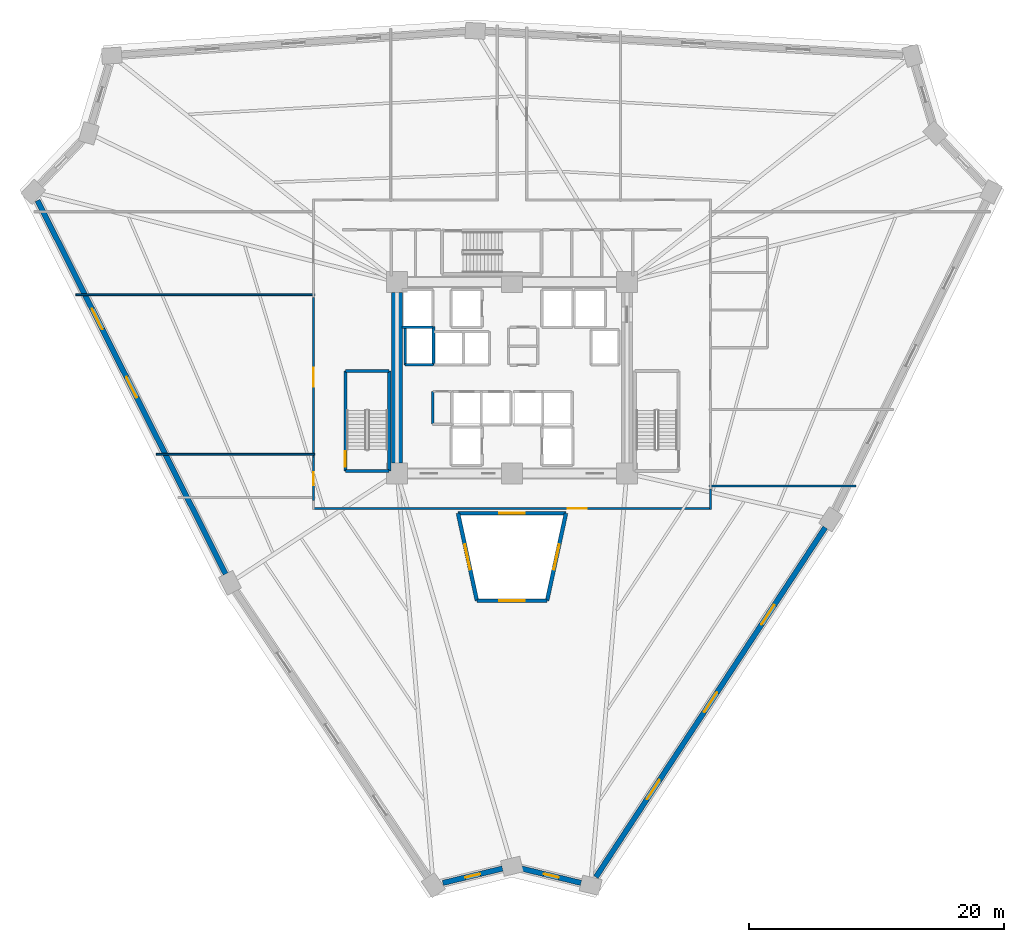
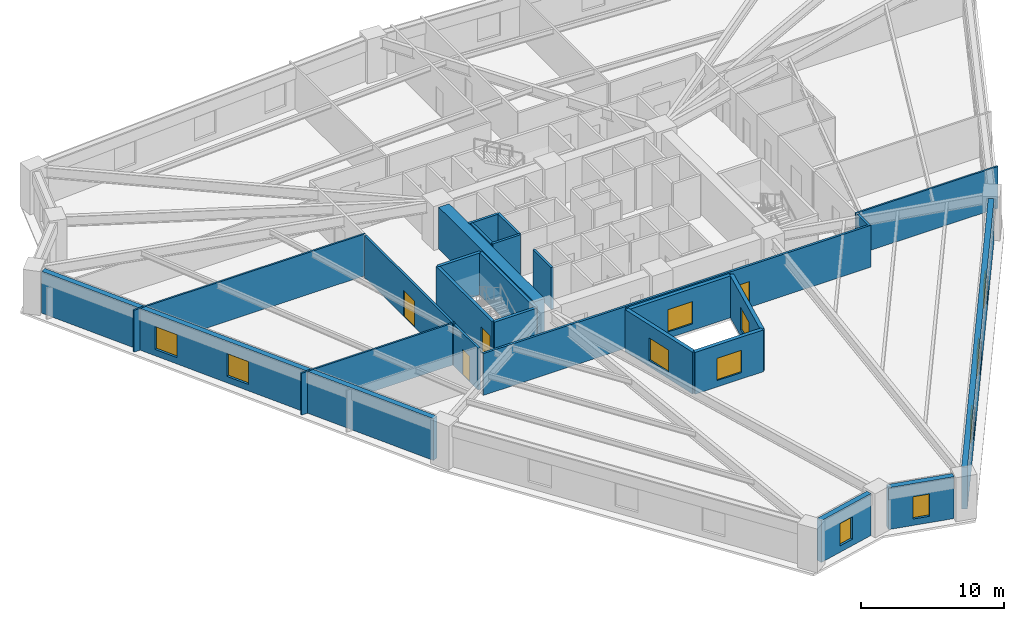
# One storey, part 3 of 8: 25 walls, 11 windows, 4 doors, 15 openings.
"""IFC4 building model written with IfcOpenShell, lengths in metres."""

import ifcopenshell
import ifcopenshell.guid

model = None  # the IFC model being written
_history = None  # IfcOwnerHistory: only IFC2X3 demands one
_inside = {}  # id of a spatial element -> (the spatial element, [elements in it])
_under = {}  # id of a project, library or spatial element -> (it, [spatial elements below it])
_declared = {}  # id of a project -> (the project, [libraries it declares])
_typed = {}  # id of a type object -> (the type object, [elements of that type])
_made_of = {}  # id of a material, layer set ... -> (it, [elements and type objects made of it])


def new_model(schema):
    """Start an empty IFC model of exactly this schema.

    Asked for "IFC4X3", IfcOpenShell would pick the latest addendum, in which some entities
    have other attributes; the version numbers below select the first issue.
    IFC2X3 requires an IfcOwnerHistory on every rooted entity: one is made here for all.
    """
    global model, _history
    if schema == "IFC4X3":
        model = ifcopenshell.file(schema_version=(4, 3, 0, 0))
    else:
        model = ifcopenshell.file(schema=schema)
    _inside.clear()
    _under.clear()
    _declared.clear()
    _typed.clear()
    _made_of.clear()
    _history = None
    if model.schema == "IFC2X3":
        org = make("IfcOrganization", Name="unknown")
        user = make(
            "IfcPersonAndOrganization",
            ThePerson=make("IfcPerson", FamilyName="unknown"),
            TheOrganization=org,
        )
        app = make(
            "IfcApplication",
            ApplicationDeveloper=org,
            Version="unknown",
            ApplicationFullName="unknown",
            ApplicationIdentifier="unknown",
        )
        _history = make(
            "IfcOwnerHistory",
            OwningUser=user,
            OwningApplication=app,
            ChangeAction="ADDED",
            CreationDate=0,
        )
    return model


def make(cls, **values):
    """One entity of the class cls with the attributes given. An attribute that is None is left unset."""
    return model.create_entity(
        cls, **{name: value for name, value in values.items() if value is not None}
    )


def rooted(cls, **values):
    """An entity with a GlobalId (a new one), such as an element, a storey or a relation."""
    return make(cls, GlobalId=ifcopenshell.guid.new(), OwnerHistory=_history, **values)


def si_unit(unit_type, name, prefix=None):
    """IfcSIUnit, for example si_unit("LENGTHUNIT", "METRE", prefix="MILLI")."""
    return make("IfcSIUnit", UnitType=unit_type, Prefix=prefix, Name=name)


def assignment(units):
    """IfcUnitAssignment: the units of a project."""
    return None if units is None else make("IfcUnitAssignment", Units=units)


def point(xyz):
    """IfcCartesianPoint."""
    return None if xyz is None else make("IfcCartesianPoint", Coordinates=xyz)


def direction(xyz):
    """IfcDirection."""
    return None if xyz is None else make("IfcDirection", DirectionRatios=xyz)


def frame(location, z_axis=None, x_axis=None):
    """IfcAxis2Placement3D, a coordinate frame: its origin and axes. An axis left out is left unset."""
    return make(
        "IfcAxis2Placement3D",
        Location=point(location),
        Axis=direction(z_axis),
        RefDirection=direction(x_axis),
    )


def frame_2d(location, x_axis=None):
    """IfcAxis2Placement2D, a coordinate frame in the plane: its origin and x axis."""
    return make(
        "IfcAxis2Placement2D", Location=point(location), RefDirection=direction(x_axis)
    )


def origin():
    """The frame at (0, 0, 0) with its axes left unset."""
    return frame((0.0, 0.0, 0.0))


def place(relative_to, where):
    """IfcLocalPlacement: puts the frame where relative to a parent placement (None: the world)."""
    return make(
        "IfcLocalPlacement", PlacementRelTo=relative_to, RelativePlacement=where
    )


def context(
    kind, dimensions, precision=None, world=None, true_north=None, identifier=None
):
    """IfcGeometricRepresentationContext, for example the 3D "Model" context."""
    return make(
        "IfcGeometricRepresentationContext",
        ContextIdentifier=identifier,
        ContextType=kind,
        CoordinateSpaceDimension=dimensions,
        Precision=precision,
        WorldCoordinateSystem=world,
        TrueNorth=true_north,
    )


def subcontext(parent, identifier, kind, view, scale=None):
    """IfcGeometricRepresentationSubContext, for example "Body" below "Model"."""
    return make(
        "IfcGeometricRepresentationSubContext",
        ContextIdentifier=identifier,
        ContextType=kind,
        ParentContext=parent,
        TargetScale=scale,
        TargetView=view,
    )


def project(units=None, contexts=None):
    """IfcProject with its units and contexts."""
    return rooted(
        "IfcProject",
        Name="project",
        RepresentationContexts=contexts,
        UnitsInContext=assignment(units),
    )


def spatial(cls, under=None, at=None, **own):
    """A site, building, storey or space (cls), placed at a placement, below another one or the project."""
    s = rooted(cls, ObjectPlacement=at, **own)
    if under is not None:
        _under.setdefault(under.id(), (under, []))[1].append(s)
    return s


def profile(cls, at=None, kind="AREA", **sizes):
    """A parametric profile (cls). Its sizes go by their IFC names, for example OverallWidth=200.0."""
    return make(cls, ProfileType=kind, Position=at, **sizes)


def rectangle(**sizes):
    """IfcRectangleProfileDef."""
    return profile("IfcRectangleProfileDef", **sizes)


def extrude(swept, where, along, depth):
    """IfcExtrudedAreaSolid: the profile swept, set in the frame where, extruded along a direction by depth."""
    return make(
        "IfcExtrudedAreaSolid",
        SweptArea=swept,
        Position=where,
        ExtrudedDirection=direction(along),
        Depth=depth,
    )


def shape(context_of_items, identifier, shape_type, items):
    """IfcShapeRepresentation: the items that make up one representation, for example the "Body"."""
    return make(
        "IfcShapeRepresentation",
        ContextOfItems=context_of_items,
        RepresentationIdentifier=identifier,
        RepresentationType=shape_type,
        Items=items,
    )


def source(mapping_origin, context_of_items, identifier, shape_type, items):
    """IfcRepresentationMap: a shape defined once, which mapped items show again and again."""
    return make(
        "IfcRepresentationMap",
        MappingOrigin=mapping_origin,
        MappedRepresentation=shape(context_of_items, identifier, shape_type, items),
    )


def transform(
    local_origin,
    x_axis=None,
    y_axis=None,
    z_axis=None,
    scale=None,
    scale2=None,
    scale3=None,
    uniform=True,
):
    """IfcCartesianTransformationOperator3D, or its non-uniform kind. x_axis, y_axis, z_axis: its Axis1, 2, 3."""
    if uniform:
        return make(
            "IfcCartesianTransformationOperator3D",
            Axis1=direction(x_axis),
            Axis2=direction(y_axis),
            LocalOrigin=point(local_origin),
            Scale=scale,
            Axis3=direction(z_axis),
        )
    return make(
        "IfcCartesianTransformationOperator3DnonUniform",
        Axis1=direction(x_axis),
        Axis2=direction(y_axis),
        LocalOrigin=point(local_origin),
        Scale=scale,
        Axis3=direction(z_axis),
        Scale2=scale2,
        Scale3=scale3,
    )


def mapped(mapping_source, mapping_target):
    """IfcMappedItem: shows the shape of a source again, moved by a transform."""
    return make(
        "IfcMappedItem", MappingSource=mapping_source, MappingTarget=mapping_target
    )


def material(Name=None, Category=None):
    """IfcMaterial."""
    return make("IfcMaterial", Name=Name, Category=Category)


def layer(
    of_material, thickness, ventilated=None, Name=None, Category=None, Priority=None
):
    """IfcMaterialLayer: one layer of a wall or slab, of a material (None: an air gap)."""
    return make(
        "IfcMaterialLayer",
        Material=of_material,
        LayerThickness=thickness,
        IsVentilated=ventilated,
        Name=Name,
        Category=Category,
        Priority=Priority,
    )


def layer_set(layers, Name=None):
    """IfcMaterialLayerSet."""
    return make("IfcMaterialLayerSet", MaterialLayers=layers, LayerSetName=Name)


def made_of(thing, what):
    """Note that an element or type object is made of a material, layer set ...; save() writes the relation."""
    if what is not None:
        _made_of.setdefault(what.id(), (what, []))[1].append(thing)
    return thing


def type_object(cls, material=None, **own):
    """A type object (cls), such as IfcWallType, which elements share."""
    return made_of(rooted(cls, **own), material)


def element(
    cls,
    number,
    at=None,
    inside=None,
    cuts=None,
    type_object=None,
    material=None,
    context=None,
    identifier="Body",
    shape_type=None,
    held_by="IfcProductDefinitionShape",
    body=None,
    shapes=None,
    **own,
):
    """One element of the class cls, such as IfcWall. Its Tag is "e" and its number.

    at: its placement. inside: the storey or other place that contains it. cuts: it is an
    opening in that element (IfcRelVoidsElement). A single representation is given by context,
    identifier, shape_type and body (its items); several are given by shapes. held_by: the class
    of the entity that holds the representations. save() writes the other relations.
    """
    e = rooted(cls, Tag="e%d" % number, ObjectPlacement=at, **own)
    if body is not None:
        shapes = [shape(context, identifier, shape_type, body)]
    if shapes is not None:
        e.Representation = make(held_by, Representations=shapes)
    if inside is not None:
        _inside.setdefault(inside.id(), (inside, []))[1].append(e)
    if cuts is not None:
        rooted(
            "IfcRelVoidsElement", RelatingBuildingElement=cuts, RelatedOpeningElement=e
        )
    if type_object is not None:
        _typed.setdefault(type_object.id(), (type_object, []))[1].append(e)
    return made_of(e, material)


def fill(opening, filler):
    """IfcRelFillsElement: the door or window that sits in an opening."""
    return rooted(
        "IfcRelFillsElement",
        RelatingOpeningElement=opening,
        RelatedBuildingElement=filler,
    )


def aggregate(whole, parts):
    """IfcRelAggregates: a whole, such as a stair, and the parts it consists of."""
    return rooted("IfcRelAggregates", RelatingObject=whole, RelatedObjects=parts)


def save(model, path):
    """Write the relations noted so far, then the file.

    IfcRelAggregates (storeys below a building ...), IfcRelContainedInSpatialStructure (elements
    in a storey), IfcRelDefinesByType, IfcRelAssociatesMaterial and IfcRelDeclares: one each for
    every whole, place, type object, material and project.
    """
    for whole, parts in _under.values():
        aggregate(whole, parts)
    for where, things in _inside.values():
        rooted(
            "IfcRelContainedInSpatialStructure",
            RelatedElements=things,
            RelatingStructure=where,
        )
    for kind, things in _typed.values():
        rooted("IfcRelDefinesByType", RelatedObjects=things, RelatingType=kind)
    for what, things in _made_of.values():
        rooted("IfcRelAssociatesMaterial", RelatedObjects=things, RelatingMaterial=what)
    for by, libraries in _declared.values():
        rooted("IfcRelDeclares", RelatingContext=by, RelatedDefinitions=libraries)
    model.write(path)


model = new_model("IFC4")

# Units and contexts
model_context = context("Model", 3, precision=1e-05, world=origin(), true_north=direction((0.0, 1.0)))
body_context = subcontext(model_context, "Body", "Model", "MODEL_VIEW")
ifc_project = project(units=[si_unit("LENGTHUNIT", "METRE"), si_unit("AREAUNIT", "SQUARE_METRE"), si_unit("VOLUMEUNIT", "CUBIC_METRE"), si_unit("PLANEANGLEUNIT", "RADIAN"), si_unit("MASSUNIT", "GRAM", prefix="KILO")], contexts=[model_context])

# Site, building, storey
site_placement = place(None, origin())
site = spatial("IfcSite", under=ifc_project, at=site_placement, CompositionType="ELEMENT")
building_placement = place(site_placement, origin())
building = spatial("IfcBuilding", under=site, at=building_placement, Name="Liaohun Quay Tower", CompositionType="ELEMENT")
storey_placement = place(building_placement, frame((0.0, 0.0, 85.5)))
storey = spatial("IfcBuildingStorey", under=building, at=storey_placement, Name="L22", CompositionType="ELEMENT", Elevation=85.5)

# Wall, opening, window
ifc_material_1 = material(Name="Concrete C50", Category="concrete")
ifc_layer_1 = layer(ifc_material_1, 0.300048828125, Name="Concrete C50", Category="concrete")
ifc_layer_set_1 = layer_set([ifc_layer_1], Name="Concrete C50")
wall_type_1 = type_object("IfcWallType", Name="WAL-ATR-300", PredefinedType="SOLIDWALL", material=ifc_layer_set_1)
wall_1_placement = place(storey_placement, frame((57.2509765625, 36.52197265625, 0.0), z_axis=(0.0, 0.0, 1.0), x_axis=(-0.211370579765, 0.977405994462, 0.0)))
wall_1 = element("IfcWall", 1, at=wall_1_placement, inside=storey, type_object=wall_type_1, Name="L22 Atrium Fire Compartment Wall 1", PredefinedType="SOLIDWALL", context=body_context, shape_type="SweptSolid", body=[
    extrude(rectangle(XDim=7.00634765625, YDim=0.300048828125, at=frame_2d((3.503173828125, 0.0))), origin(), (0.0, 0.0, 1.0), 3.570068359375),
])
shared_shape_1 = source(origin(), body_context, "Body", "SweptSolid", [
    extrude(rectangle(XDim=2.0, YDim=1.89990234375, at=frame_2d((1.0, 0.949951171875))), frame((0.0, 0.159912109375, 0.0), z_axis=(0.0, -1.0, 0.0), x_axis=(1.0, 0.0, 0.0)), (0.0, 0.0, 1.0), 0.320068359375),
])
opening_1_placement = place(wall_1_placement, frame((2.5029296875, 0.0, 0.550048828125)))
opening_1 = element("IfcOpeningElement", 2, at=opening_1_placement, cuts=wall_1, Name="Opening W07", PredefinedType="OPENING", context=body_context, shape_type="MappedRepresentation", body=[
    mapped(shared_shape_1, transform((0.0, 0.0, 0.0), x_axis=(1.0, 0.0, 0.0), y_axis=(0.0, 1.0, 0.0), z_axis=(0.0, 0.0, 1.0), scale=1.0)),
])
ifc_material_2 = material(Name="Class A 180-min fire-resistant insulated glazing", Category="glass")
window_type_1 = type_object("IfcWindowType", Name="WIN-ATR-FIR", PartitioningType="DOUBLE_PANEL_VERTICAL", PredefinedType="WINDOW", material=ifc_material_2)
shared_shape_2 = source(origin(), body_context, "Body", "SweptSolid", [
    extrude(rectangle(XDim=2.0, YDim=1.89990234375, at=frame_2d((1.0, 0.949951171875))), frame((0.0, 0.030029296875, 0.0), z_axis=(0.0, -1.0, 0.0), x_axis=(1.0, 0.0, 0.0)), (0.0, 0.0, 1.0), 0.06005859375),
])
window_1_placement = place(opening_1_placement, origin())
window_1 = element("IfcWindow", 3, at=window_1_placement, inside=storey, type_object=window_type_1, Name="L22 Atrium Fire-Resistant Glazing W07-1", OverallHeight=1.89990234375, OverallWidth=2.0, PartitioningType="DOUBLE_PANEL_VERTICAL", PredefinedType="WINDOW", context=body_context, shape_type="MappedRepresentation", body=[
    mapped(shared_shape_2, transform((0.0, 0.0, 0.0), x_axis=(1.0, 0.0, 0.0), y_axis=(0.0, 1.0, 0.0), z_axis=(0.0, 0.0, 1.0), scale=1.0)),
])
fill(opening_1, window_1)

wall_2_placement = place(storey_placement, frame((55.77001953125, 43.3701171875, 0.0), z_axis=(0.0, 0.0, 1.0), x_axis=(1.0, 0.0, 0.0)))
wall_2 = element("IfcWall", 4, at=wall_2_placement, inside=storey, type_object=wall_type_1, Name="L22 Atrium Fire Compartment Wall 2", PredefinedType="SOLIDWALL", context=body_context, shape_type="SweptSolid", body=[
    extrude(rectangle(XDim=8.4599609375, YDim=0.300048828125, at=frame_2d((4.22998046875, 0.0))), origin(), (0.0, 0.0, 1.0), 3.570068359375),
])
opening_2_placement = place(wall_2_placement, frame((3.22998046875, 0.0, 0.550048828125)))
opening_2 = element("IfcOpeningElement", 5, at=opening_2_placement, cuts=wall_2, Name="Opening W07", PredefinedType="OPENING", context=body_context, shape_type="MappedRepresentation", body=[
    mapped(shared_shape_1, transform((0.0, 0.0, 0.0), x_axis=(1.0, 0.0, 0.0), y_axis=(0.0, 1.0, 0.0), z_axis=(0.0, 0.0, 1.0), scale=1.0)),
])
window_2_placement = place(opening_2_placement, origin())
window_2 = element("IfcWindow", 6, at=window_2_placement, inside=storey, type_object=window_type_1, Name="L22 Atrium Fire-Resistant Glazing W07-2", OverallHeight=1.89990234375, OverallWidth=2.0, PartitioningType="DOUBLE_PANEL_VERTICAL", PredefinedType="WINDOW", context=body_context, shape_type="MappedRepresentation", body=[
    mapped(shared_shape_2, transform((0.0, 0.0, 0.0), x_axis=(1.0, 0.0, 0.0), y_axis=(0.0, 1.0, 0.0), z_axis=(0.0, 0.0, 1.0), scale=1.0)),
])
fill(opening_2, window_2)

wall_3_placement = place(storey_placement, frame((64.22998046875, 43.3701171875, 0.0), z_axis=(0.0, 0.0, 1.0), x_axis=(-0.211370579765, -0.977405994462, 0.0)))
wall_3 = element("IfcWall", 7, at=wall_3_placement, inside=storey, type_object=wall_type_1, Name="L22 Atrium Fire Compartment Wall 3", PredefinedType="SOLIDWALL", context=body_context, shape_type="SweptSolid", body=[
    extrude(rectangle(XDim=7.00634765625, YDim=0.300048828125, at=frame_2d((3.503173828125, 0.0))), origin(), (0.0, 0.0, 1.0), 3.570068359375),
])
opening_3_placement = place(wall_3_placement, frame((2.5029296875, 0.0, 0.550048828125)))
opening_3 = element("IfcOpeningElement", 8, at=opening_3_placement, cuts=wall_3, Name="Opening W07", PredefinedType="OPENING", context=body_context, shape_type="MappedRepresentation", body=[
    mapped(shared_shape_1, transform((0.0, 0.0, 0.0), x_axis=(1.0, 0.0, 0.0), y_axis=(0.0, 1.0, 0.0), z_axis=(0.0, 0.0, 1.0), scale=1.0)),
])
window_3_placement = place(opening_3_placement, origin())
window_3 = element("IfcWindow", 9, at=window_3_placement, inside=storey, type_object=window_type_1, Name="L22 Atrium Fire-Resistant Glazing W07-3", OverallHeight=1.89990234375, OverallWidth=2.0, PartitioningType="DOUBLE_PANEL_VERTICAL", PredefinedType="WINDOW", context=body_context, shape_type="MappedRepresentation", body=[
    mapped(shared_shape_2, transform((0.0, 0.0, 0.0), x_axis=(1.0, 0.0, 0.0), y_axis=(0.0, 1.0, 0.0), z_axis=(0.0, 0.0, 1.0), scale=1.0)),
])
fill(opening_3, window_3)

wall_4_placement = place(storey_placement, frame((62.7490234375, 36.52197265625, 0.0), z_axis=(0.0, 0.0, 1.0), x_axis=(-1.0, 0.0, 0.0)))
wall_4 = element("IfcWall", 10, at=wall_4_placement, inside=storey, type_object=wall_type_1, Name="L22 Atrium Fire Compartment Wall 4", PredefinedType="SOLIDWALL", context=body_context, shape_type="SweptSolid", body=[
    extrude(rectangle(XDim=5.498046875, YDim=0.300048828125, at=frame_2d((2.7490234375, 0.0))), origin(), (0.0, 0.0, 1.0), 3.570068359375),
])
opening_4_placement = place(wall_4_placement, frame((1.7490234375, 0.0, 0.550048828125)))
opening_4 = element("IfcOpeningElement", 11, at=opening_4_placement, cuts=wall_4, Name="Opening W07", PredefinedType="OPENING", context=body_context, shape_type="MappedRepresentation", body=[
    mapped(shared_shape_1, transform((0.0, 0.0, 0.0), x_axis=(1.0, 0.0, 0.0), y_axis=(0.0, 1.0, 0.0), z_axis=(0.0, 0.0, 1.0), scale=1.0)),
])
window_4_placement = place(opening_4_placement, origin())
window_4 = element("IfcWindow", 12, at=window_4_placement, inside=storey, type_object=window_type_1, Name="L22 Atrium Fire-Resistant Glazing W07-4", OverallHeight=1.89990234375, OverallWidth=2.0, PartitioningType="DOUBLE_PANEL_VERTICAL", PredefinedType="WINDOW", context=body_context, shape_type="MappedRepresentation", body=[
    mapped(shared_shape_2, transform((0.0, 0.0, 0.0), x_axis=(1.0, 0.0, 0.0), y_axis=(0.0, 1.0, 0.0), z_axis=(0.0, 0.0, 1.0), scale=1.0)),
])
fill(opening_4, window_4)

# Wall
ifc_material_3 = material(Name="Concrete C60", Category="concrete")
ifc_layer_2 = layer(ifc_material_3, 0.85009765625, Name="Concrete C60", Category="concrete")
ifc_layer_set_2 = layer_set([ifc_layer_2], Name="Concrete C60")
wall_type_2 = type_object("IfcWallType", Name="WAL-COR-Z1", PredefinedType="SHEAR", material=ifc_layer_set_2)
wall_5_placement = place(storey_placement, frame((51.0, 47.324951171875, 0.0), z_axis=(0.0, 0.0, 1.0), x_axis=(0.0, 1.0, 0.0)))
element("IfcWall", 13, at=wall_5_placement, inside=storey, type_object=wall_type_2, Name="L22 Central Core Shear Wall W", PredefinedType="SHEAR", context=body_context, shape_type="SweptSolid", body=[
    extrude(rectangle(XDim=13.35009765625, YDim=0.85009765625, at=frame_2d((6.675048828125, 0.0))), origin(), (0.0, 0.0, 1.0), 3.570068359375),
])

# Wall, opening, window
ifc_material_4 = material(Name="Precast concrete C50 insulated sandwich", Category="concrete")
ifc_layer_3 = layer(ifc_material_4, 0.419921875, Name="Precast concrete C50 insulated sandwich", Category="concrete")
ifc_layer_set_3 = layer_set([ifc_layer_3], Name="Precast concrete C50 insulated sandwich")
wall_type_3 = type_object("IfcWallType", Name="WAL-EXT-Z12", PredefinedType="SOLIDWALL", material=ifc_layer_set_3)
wall_6_placement = place(storey_placement, frame((60.743896484375, 15.534912109375, 0.0), z_axis=(0.0, 0.0, 1.0), x_axis=(0.972107800752, -0.234534483002, 0.0)))
wall_6 = element("IfcWall", 14, at=wall_6_placement, inside=storey, type_object=wall_type_3, Name="L22 Brutalist Precast Pier Wall 01", PredefinedType="SOLIDWALL", context=body_context, shape_type="SweptSolid", body=[
    extrude(rectangle(XDim=4.80078125, YDim=0.419921875, at=frame_2d((2.400390625, 0.0))), origin(), (0.0, 0.0, 1.0), 3.570068359375),
])
shared_shape_3 = source(origin(), body_context, "Body", "SweptSolid", [
    extrude(rectangle(XDim=1.199951171875, YDim=1.89990234375, at=frame_2d((0.60009765625, 0.949951171875))), frame((0.0, 0.219970703125, 0.0), z_axis=(0.0, -1.0, 0.0), x_axis=(1.0, 0.0, 0.0)), (0.0, 0.0, 1.0), 0.43994140625),
])
opening_5_placement = place(wall_6_placement, frame((1.800048828125, 0.0, 0.550048828125)))
opening_5 = element("IfcOpeningElement", 15, at=opening_5_placement, cuts=wall_6, Name="Opening W05", PredefinedType="OPENING", context=body_context, shape_type="MappedRepresentation", body=[
    mapped(shared_shape_3, transform((0.0, 0.0, 0.0), x_axis=(1.0, 0.0, 0.0), y_axis=(0.0, 1.0, 0.0), z_axis=(0.0, 0.0, 1.0), scale=1.0)),
])
ifc_material_5 = material(Name="Triple Low-E corner notch glazing", Category="glass")
window_type_2 = type_object("IfcWindowType", Name="WIN-NOTCH", PartitioningType="SINGLE_PANEL", PredefinedType="WINDOW", material=ifc_material_5)
shared_shape_4 = source(origin(), body_context, "Body", "SweptSolid", [
    extrude(rectangle(XDim=1.199951171875, YDim=1.89990234375, at=frame_2d((0.60009765625, 0.949951171875))), frame((0.0, 0.030029296875, 0.0), z_axis=(0.0, -1.0, 0.0), x_axis=(1.0, 0.0, 0.0)), (0.0, 0.0, 1.0), 0.06005859375),
])
window_5_placement = place(opening_5_placement, origin())
window_5 = element("IfcWindow", 16, at=window_5_placement, inside=storey, type_object=window_type_2, Name="L22 Corner Notch Window W05-01", OverallHeight=1.89990234375, OverallWidth=1.199951171875, PartitioningType="SINGLE_PANEL", PredefinedType="WINDOW", context=body_context, shape_type="MappedRepresentation", body=[
    mapped(shared_shape_4, transform((0.0, 0.0, 0.0), x_axis=(1.0, 0.0, 0.0), y_axis=(0.0, 1.0, 0.0), z_axis=(0.0, 0.0, 1.0), scale=1.0)),
])
fill(opening_5, window_5)

# Wall, openings, windows
wall_7_placement = place(storey_placement, frame((66.574951171875, 14.868896484375, 0.0), z_axis=(0.0, 0.0, 1.0), x_axis=(0.548487984854, 0.836158436225, 0.0)))
wall_7 = element("IfcWall", 17, at=wall_7_placement, inside=storey, type_object=wall_type_3, Name="L22 Brutalist Precast Pier Wall 02", PredefinedType="SOLIDWALL", context=body_context, shape_type="SweptSolid", body=[
    extrude(rectangle(XDim=32.766845703125, YDim=0.419921875, at=frame_2d((16.38330078125, 0.0))), origin(), (0.0, 0.0, 1.0), 3.570068359375),
])
shared_shape_5 = source(origin(), body_context, "Body", "SweptSolid", [
    extrude(rectangle(XDim=1.800048828125, YDim=1.949951171875, at=frame_2d((0.89990234375, 0.97509765625))), frame((0.0, 0.219970703125, 0.0), z_axis=(0.0, -1.0, 0.0), x_axis=(1.0, 0.0, 0.0)), (0.0, 0.0, 1.0), 0.43994140625),
])
opening_6_placement = place(wall_7_placement, frame((7.2919921875, 0.0, 0.550048828125)))
opening_6 = element("IfcOpeningElement", 18, at=opening_6_placement, cuts=wall_7, Name="Opening W01", PredefinedType="OPENING", context=body_context, shape_type="MappedRepresentation", body=[
    mapped(shared_shape_5, transform((0.0, 0.0, 0.0), x_axis=(1.0, 0.0, 0.0), y_axis=(0.0, 1.0, 0.0), z_axis=(0.0, 0.0, 1.0), scale=1.0)),
])
opening_7_placement = place(wall_7_placement, frame((15.48291015625, 0.0, 0.550048828125)))
opening_7 = element("IfcOpeningElement", 19, at=opening_7_placement, cuts=wall_7, Name="Opening W01", PredefinedType="OPENING", context=body_context, shape_type="MappedRepresentation", body=[
    mapped(shared_shape_5, transform((0.0, 0.0, 0.0), x_axis=(1.0, 0.0, 0.0), y_axis=(0.0, 1.0, 0.0), z_axis=(0.0, 0.0, 1.0), scale=1.0)),
])
opening_8_placement = place(wall_7_placement, frame((23.675048828125, 0.0, 0.550048828125)))
opening_8 = element("IfcOpeningElement", 20, at=opening_8_placement, cuts=wall_7, Name="Opening W01", PredefinedType="OPENING", context=body_context, shape_type="MappedRepresentation", body=[
    mapped(shared_shape_5, transform((0.0, 0.0, 0.0), x_axis=(1.0, 0.0, 0.0), y_axis=(0.0, 1.0, 0.0), z_axis=(0.0, 0.0, 1.0), scale=1.0)),
])
ifc_material_6 = material(Name="Triple Low-E argon glazing in thermally broken aluminium", Category="aluminium")
window_type_3 = type_object("IfcWindowType", Name="WIN-PUN-Z1", PartitioningType="DOUBLE_PANEL_VERTICAL", PredefinedType="WINDOW", material=ifc_material_6)
shared_shape_6 = source(origin(), body_context, "Body", "SweptSolid", [
    extrude(rectangle(XDim=1.800048828125, YDim=1.949951171875, at=frame_2d((0.89990234375, 0.97509765625))), frame((0.0, 0.030029296875, 0.0), z_axis=(0.0, -1.0, 0.0), x_axis=(1.0, 0.0, 0.0)), (0.0, 0.0, 1.0), 0.06005859375),
])
window_6_placement = place(opening_6_placement, origin())
window_6 = element("IfcWindow", 21, at=window_6_placement, inside=storey, type_object=window_type_3, Name="L22 Recessed Cold-Climate Punched Window 02-1", OverallHeight=1.949951171875, OverallWidth=1.800048828125, PartitioningType="DOUBLE_PANEL_VERTICAL", PredefinedType="WINDOW", context=body_context, shape_type="MappedRepresentation", body=[
    mapped(shared_shape_6, transform((0.0, 0.0, 0.0), x_axis=(1.0, 0.0, 0.0), y_axis=(0.0, 1.0, 0.0), z_axis=(0.0, 0.0, 1.0), scale=1.0)),
])
fill(opening_6, window_6)
window_7_placement = place(opening_7_placement, origin())
window_7 = element("IfcWindow", 22, at=window_7_placement, inside=storey, type_object=window_type_3, Name="L22 Recessed Cold-Climate Punched Window 02-2", OverallHeight=1.949951171875, OverallWidth=1.800048828125, PartitioningType="DOUBLE_PANEL_VERTICAL", PredefinedType="WINDOW", context=body_context, shape_type="MappedRepresentation", body=[
    mapped(shared_shape_6, transform((0.0, 0.0, 0.0), x_axis=(1.0, 0.0, 0.0), y_axis=(0.0, 1.0, 0.0), z_axis=(0.0, 0.0, 1.0), scale=1.0)),
])
fill(opening_7, window_7)
window_8_placement = place(opening_8_placement, origin())
window_8 = element("IfcWindow", 23, at=window_8_placement, inside=storey, type_object=window_type_3, Name="L22 Recessed Cold-Climate Punched Window 02-3", OverallHeight=1.949951171875, OverallWidth=1.800048828125, PartitioningType="DOUBLE_PANEL_VERTICAL", PredefinedType="WINDOW", context=body_context, shape_type="MappedRepresentation", body=[
    mapped(shared_shape_6, transform((0.0, 0.0, 0.0), x_axis=(1.0, 0.0, 0.0), y_axis=(0.0, 1.0, 0.0), z_axis=(0.0, 0.0, 1.0), scale=1.0)),
])
fill(opening_8, window_8)

wall_8_placement = place(storey_placement, frame((22.822998046875, 67.8720703125, 0.0), z_axis=(0.0, 0.0, 1.0), x_axis=(0.449893825909, -0.893082048531, 0.0)))
wall_8 = element("IfcWall", 24, at=wall_8_placement, inside=storey, type_object=wall_type_3, Name="L22 Brutalist Precast Pier Wall 10", PredefinedType="SOLIDWALL", context=body_context, shape_type="SweptSolid", body=[
    extrude(rectangle(XDim=32.767578125, YDim=0.419921875, at=frame_2d((16.3837890625, 0.0))), origin(), (0.0, 0.0, 1.0), 3.570068359375),
])
opening_9_placement = place(wall_8_placement, frame((9.491943359375, 0.0, 0.550048828125)))
opening_9 = element("IfcOpeningElement", 25, at=opening_9_placement, cuts=wall_8, Name="Opening W01", PredefinedType="OPENING", context=body_context, shape_type="MappedRepresentation", body=[
    mapped(shared_shape_5, transform((0.0, 0.0, 0.0), x_axis=(1.0, 0.0, 0.0), y_axis=(0.0, 1.0, 0.0), z_axis=(0.0, 0.0, 1.0), scale=1.0)),
])
opening_10_placement = place(wall_8_placement, frame((15.48388671875, 0.0, 0.550048828125)))
opening_10 = element("IfcOpeningElement", 26, at=opening_10_placement, cuts=wall_8, Name="Opening W01", PredefinedType="OPENING", context=body_context, shape_type="MappedRepresentation", body=[
    mapped(shared_shape_5, transform((0.0, 0.0, 0.0), x_axis=(1.0, 0.0, 0.0), y_axis=(0.0, 1.0, 0.0), z_axis=(0.0, 0.0, 1.0), scale=1.0)),
])
window_9_placement = place(opening_9_placement, origin())
window_9 = element("IfcWindow", 27, at=window_9_placement, inside=storey, type_object=window_type_3, Name="L22 Recessed Cold-Climate Punched Window 10-1", OverallHeight=1.949951171875, OverallWidth=1.800048828125, PartitioningType="DOUBLE_PANEL_VERTICAL", PredefinedType="WINDOW", context=body_context, shape_type="MappedRepresentation", body=[
    mapped(shared_shape_6, transform((0.0, 0.0, 0.0), x_axis=(1.0, 0.0, 0.0), y_axis=(0.0, 1.0, 0.0), z_axis=(0.0, 0.0, 1.0), scale=1.0)),
])
fill(opening_9, window_9)
window_10_placement = place(opening_10_placement, origin())
window_10 = element("IfcWindow", 28, at=window_10_placement, inside=storey, type_object=window_type_3, Name="L22 Recessed Cold-Climate Punched Window 10-2", OverallHeight=1.949951171875, OverallWidth=1.800048828125, PartitioningType="DOUBLE_PANEL_VERTICAL", PredefinedType="WINDOW", context=body_context, shape_type="MappedRepresentation", body=[
    mapped(shared_shape_6, transform((0.0, 0.0, 0.0), x_axis=(1.0, 0.0, 0.0), y_axis=(0.0, 1.0, 0.0), z_axis=(0.0, 0.0, 1.0), scale=1.0)),
])
fill(opening_10, window_10)

# Wall, opening, window
wall_9_placement = place(storey_placement, frame((54.58203125, 14.406982421875, 0.0), z_axis=(0.0, 0.0, 1.0), x_axis=(0.972096184363, 0.234582625843, 0.0)))
wall_9 = element("IfcWall", 29, at=wall_9_placement, inside=storey, type_object=wall_type_3, Name="L22 Brutalist Precast Pier Wall 12", PredefinedType="SOLIDWALL", context=body_context, shape_type="SweptSolid", body=[
    extrude(rectangle(XDim=4.808349609375, YDim=0.419921875, at=frame_2d((2.404296875, 0.0))), origin(), (0.0, 0.0, 1.0), 3.570068359375),
])
opening_11_placement = place(wall_9_placement, frame((1.803955078125, 0.0, 0.550048828125)))
opening_11 = element("IfcOpeningElement", 30, at=opening_11_placement, cuts=wall_9, Name="Opening W05", PredefinedType="OPENING", context=body_context, shape_type="MappedRepresentation", body=[
    mapped(shared_shape_3, transform((0.0, 0.0, 0.0), x_axis=(1.0, 0.0, 0.0), y_axis=(0.0, 1.0, 0.0), z_axis=(0.0, 0.0, 1.0), scale=1.0)),
])
window_11_placement = place(opening_11_placement, origin())
window_11 = element("IfcWindow", 31, at=window_11_placement, inside=storey, type_object=window_type_2, Name="L22 Corner Notch Window W05-12", OverallHeight=1.89990234375, OverallWidth=1.199951171875, PartitioningType="SINGLE_PANEL", PredefinedType="WINDOW", context=body_context, shape_type="MappedRepresentation", body=[
    mapped(shared_shape_4, transform((0.0, 0.0, 0.0), x_axis=(1.0, 0.0, 0.0), y_axis=(0.0, 1.0, 0.0), z_axis=(0.0, 0.0, 1.0), scale=1.0)),
])
fill(opening_11, window_11)

# Wall, opening, door
ifc_material_7 = material(Name="Autoclaved aerated concrete blockwork", Category="masonry")
ifc_layer_4 = layer(ifc_material_7, 0.179931640625, Name="Autoclaved aerated concrete blockwork", Category="masonry")
ifc_layer_set_4 = layer_set([ifc_layer_4], Name="Autoclaved aerated concrete blockwork")
wall_type_4 = type_object("IfcWallType", Name="WAL-PRT-COR", PredefinedType="PARTITIONING", material=ifc_layer_set_4)
wall_10_placement = place(storey_placement, frame((44.43994140625, 47.784912109375, 0.0), z_axis=(0.0, 0.0, 1.0), x_axis=(0.0, 1.0, 0.0)))
wall_10 = element("IfcWall", 32, at=wall_10_placement, inside=storey, type_object=wall_type_4, Name="L22 Interior Partition Wall 020", PredefinedType="PARTITIONING", context=body_context, shape_type="SweptSolid", body=[
    extrude(rectangle(XDim=12.5, YDim=0.179931640625, at=frame_2d((6.25, 0.0))), origin(), (0.0, 0.0, 1.0), 3.570068359375),
])
shared_shape_7 = source(origin(), body_context, "Body", "SweptSolid", [
    extrude(rectangle(XDim=1.5, YDim=2.199951171875, at=frame_2d((0.75, 1.10009765625))), frame((0.0, 0.099853515625, 0.0), z_axis=(0.0, -1.0, 0.0), x_axis=(1.0, 0.0, 0.0)), (0.0, 0.0, 1.0), 0.199951171875),
])
opening_12_placement = place(wall_10_placement, frame((5.5, 0.0, 0.0)))
opening_12 = element("IfcOpeningElement", 33, at=opening_12_placement, cuts=wall_10, Name="Opening OD2", PredefinedType="OPENING", context=body_context, shape_type="MappedRepresentation", body=[
    mapped(shared_shape_7, transform((0.0, 0.0, 0.0), x_axis=(1.0, 0.0, 0.0), y_axis=(0.0, 1.0, 0.0), z_axis=(0.0, 0.0, 1.0), scale=1.0)),
])
ifc_material_8 = material(Name="Acoustic oak veneer double door")
door_type_1 = type_object("IfcDoorType", Name="DOR-OFF-1500", OperationType="DOUBLE_DOOR_SINGLE_SWING", PredefinedType="DOOR", material=ifc_material_8)
shared_shape_8 = source(origin(), body_context, "Body", "SweptSolid", [
    extrude(rectangle(XDim=1.5, YDim=2.199951171875, at=frame_2d((0.75, 1.10009765625))), frame((0.0, 0.02490234375, 0.0), z_axis=(0.0, -1.0, 0.0), x_axis=(1.0, 0.0, 0.0)), (0.0, 0.0, 1.0), 0.050048828125),
])
door_1_placement = place(opening_12_placement, origin())
door_1 = element("IfcDoor", 34, at=door_1_placement, inside=storey, type_object=door_type_1, Name="L22 Architectural Design Studio 07 Door", OperationType="DOUBLE_DOOR_SINGLE_SWING", OverallHeight=2.199951171875, OverallWidth=1.5, PredefinedType="DOOR", context=body_context, shape_type="MappedRepresentation", body=[
    mapped(shared_shape_8, transform((0.0, 0.0, 0.0), x_axis=(1.0, 0.0, 0.0), y_axis=(0.0, 1.0, 0.0), z_axis=(0.0, 0.0, 1.0), scale=1.0)),
])
fill(opening_12, door_1)

wall_11_placement = place(storey_placement, frame((44.43994140625, 44.385009765625, 0.0), z_axis=(0.0, 0.0, 1.0), x_axis=(0.0, 1.0, 0.0)))
wall_11 = element("IfcWall", 35, at=wall_11_placement, inside=storey, type_object=wall_type_4, Name="L22 Interior Partition Wall 021", PredefinedType="PARTITIONING", context=body_context, shape_type="SweptSolid", body=[
    extrude(rectangle(XDim=3.39990234375, YDim=0.179931640625, at=frame_2d((1.699951171875, 0.0))), origin(), (0.0, 0.0, 1.0), 3.570068359375),
])
shared_shape_9 = source(origin(), body_context, "Body", "SweptSolid", [
    extrude(rectangle(XDim=1.0, YDim=2.199951171875, at=frame_2d((0.5, 1.10009765625))), frame((0.0, 0.099853515625, 0.0), z_axis=(0.0, -1.0, 0.0), x_axis=(1.0, 0.0, 0.0)), (0.0, 0.0, 1.0), 0.199951171875),
])
opening_13_placement = place(wall_11_placement, frame((1.199951171875, 0.0, 0.0)))
opening_13 = element("IfcOpeningElement", 36, at=opening_13_placement, cuts=wall_11, Name="Opening OD1", PredefinedType="OPENING", context=body_context, shape_type="MappedRepresentation", body=[
    mapped(shared_shape_9, transform((0.0, 0.0, 0.0), x_axis=(1.0, 0.0, 0.0), y_axis=(0.0, 1.0, 0.0), z_axis=(0.0, 0.0, 1.0), scale=1.0)),
])
ifc_material_9 = material(Name="Solid-core oak veneer timber leaf in steel frame", Category="steel")
door_type_2 = type_object("IfcDoorType", Name="DOR-OFF-1000", OperationType="NOTDEFINED", PredefinedType="DOOR", material=ifc_material_9)
shared_shape_10 = source(origin(), body_context, "Body", "SweptSolid", [
    extrude(rectangle(XDim=1.0, YDim=2.199951171875, at=frame_2d((0.5, 1.10009765625))), frame((0.0, 0.02490234375, 0.0), z_axis=(0.0, -1.0, 0.0), x_axis=(1.0, 0.0, 0.0)), (0.0, 0.0, 1.0), 0.050048828125),
])
door_2_placement = place(opening_13_placement, origin())
door_2 = element("IfcDoor", 37, at=door_2_placement, inside=storey, type_object=door_type_2, Name="L22 Client Collaboration Lounge 08 Door", OperationType="SINGLE_SWING_LEFT", OverallHeight=2.199951171875, OverallWidth=1.0, PredefinedType="DOOR", context=body_context, shape_type="MappedRepresentation", body=[
    mapped(shared_shape_10, transform((0.0, 0.0, 0.0), x_axis=(1.0, 0.0, 0.0), y_axis=(0.0, 1.0, 0.0), z_axis=(0.0, 0.0, 1.0), scale=1.0)),
])
fill(opening_13, door_2)

wall_12_placement = place(storey_placement, frame((75.6298828125, 43.739990234375, 0.0), z_axis=(0.0, 0.0, 1.0), x_axis=(-1.0, 0.0, 0.0)))
wall_12 = element("IfcWall", 38, at=wall_12_placement, inside=storey, type_object=wall_type_4, Name="L22 Interior Partition Wall 022", PredefinedType="PARTITIONING", context=body_context, shape_type="SweptSolid", body=[
    extrude(rectangle(XDim=31.259765625, YDim=0.179931640625, at=frame_2d((15.6298828125, 0.0))), origin(), (0.0, 0.0, 1.0), 3.570068359375),
])
opening_14_placement = place(wall_12_placement, frame((9.780029296875, 0.0, 0.0)))
opening_14 = element("IfcOpeningElement", 39, at=opening_14_placement, cuts=wall_12, Name="Opening OD2", PredefinedType="OPENING", context=body_context, shape_type="MappedRepresentation", body=[
    mapped(shared_shape_7, transform((0.0, 0.0, 0.0), x_axis=(1.0, 0.0, 0.0), y_axis=(0.0, 1.0, 0.0), z_axis=(0.0, 0.0, 1.0), scale=1.0)),
])
door_3_placement = place(opening_14_placement, origin())
door_3 = element("IfcDoor", 40, at=door_3_placement, inside=storey, type_object=door_type_1, Name="L22 Records Archive Store 09 Door", OperationType="DOUBLE_DOOR_SINGLE_SWING", OverallHeight=2.199951171875, OverallWidth=1.5, PredefinedType="DOOR", context=body_context, shape_type="MappedRepresentation", body=[
    mapped(shared_shape_8, transform((0.0, 0.0, 0.0), x_axis=(1.0, 0.0, 0.0), y_axis=(0.0, 1.0, 0.0), z_axis=(0.0, 0.0, 1.0), scale=1.0)),
])
fill(opening_14, door_3)

# Walls
wall_13_placement = place(storey_placement, frame((53.7900390625, 50.35009765625, 0.0), z_axis=(0.0, 0.0, 1.0), x_axis=(0.0, 1.0, 0.0)))
element("IfcWall", 41, at=wall_13_placement, inside=storey, type_object=wall_type_4, Name="L22 Interior Partition Wall 027", PredefinedType="PARTITIONING", context=body_context, shape_type="SweptSolid", body=[
    extrude(rectangle(XDim=2.56982421875, YDim=0.179931640625, at=frame_2d((1.284912109375, 0.0))), origin(), (0.0, 0.0, 1.0), 3.570068359375),
])
wall_14_placement = place(storey_placement, frame((75.56005859375, 45.284912109375, 0.0), z_axis=(0.0, 0.0, 1.0), x_axis=(0.0, -1.0, 0.0)))
element("IfcWall", 42, at=wall_14_placement, inside=storey, type_object=wall_type_4, Name="L22 Interior Partition Wall 044", PredefinedType="PARTITIONING", context=body_context, shape_type="SweptSolid", body=[
    extrude(rectangle(XDim=1.614990234375, YDim=0.179931640625, at=frame_2d((0.8076171875, 0.0))), origin(), (0.0, 0.0, 1.0), 3.570068359375),
])
ifc_material_10 = material(Name="Gypsum board on twin steel studs", Category="steel")
ifc_layer_5 = layer(ifc_material_10, 0.139892578125, Name="Gypsum board on twin steel studs", Category="steel")
ifc_layer_set_5 = layer_set([ifc_layer_5], Name="Gypsum board on twin steel studs")
wall_type_5 = type_object("IfcWallType", Name="WAL-PRT-OFF", PredefinedType="PARTITIONING", material=ifc_layer_set_5)
wall_15_placement = place(storey_placement, frame((44.5400390625, 48.0, 0.0), z_axis=(0.0, 0.0, 1.0), x_axis=(-1.0, 0.0, 0.0)))
element("IfcWall", 43, at=wall_15_placement, inside=storey, type_object=wall_type_5, Name="L22 Interior Partition Wall 047", PredefinedType="PARTITIONING", context=body_context, shape_type="SweptSolid", body=[
    extrude(rectangle(XDim=12.412109375, YDim=0.139892578125, at=frame_2d((6.2060546875, 0.0))), origin(), (0.0, 0.0, 1.0), 3.570068359375),
])
wall_16_placement = place(storey_placement, frame((44.5400390625, 60.5, 0.0), z_axis=(0.0, 0.0, 1.0), x_axis=(-1.0, 0.0, 0.0)))
element("IfcWall", 44, at=wall_16_placement, inside=storey, type_object=wall_type_5, Name="L22 Interior Partition Wall 048", PredefinedType="PARTITIONING", context=body_context, shape_type="SweptSolid", body=[
    extrude(rectangle(XDim=18.7080078125, YDim=0.139892578125, at=frame_2d((9.35400390625, 0.0))), origin(), (0.0, 0.0, 1.0), 3.570068359375),
])
wall_17_placement = place(storey_placement, frame((75.4599609375, 45.5, 0.0), z_axis=(0.0, 0.0, 1.0), x_axis=(1.0, 0.0, 0.0)))
element("IfcWall", 45, at=wall_17_placement, inside=storey, type_object=wall_type_5, Name="L22 Interior Partition Wall 050", PredefinedType="PARTITIONING", context=body_context, shape_type="SweptSolid", body=[
    extrude(rectangle(XDim=11.47900390625, YDim=0.139892578125, at=frame_2d((5.739501953125, 0.0))), origin(), (0.0, 0.0, 1.0), 3.570068359375),
])
ifc_layer_6 = layer(ifc_material_1, 0.239990234375, Name="Concrete C50", Category="concrete")
ifc_layer_set_6 = layer_set([ifc_layer_6], Name="Concrete C50")
wall_type_6 = type_object("IfcWallType", Name="WAL-SHF-200", PredefinedType="SOLIDWALL", material=ifc_layer_set_6)
wall_18_placement = place(storey_placement, frame((46.93994140625, 46.699951171875, 0.0), z_axis=(0.0, 0.0, 1.0), x_axis=(1.0, 0.0, 0.0)))
element("IfcWall", 46, at=wall_18_placement, inside=storey, type_object=wall_type_6, Name="L22 Stairwell ST-1 Structural Core Wall S", PredefinedType="SOLIDWALL", context=body_context, shape_type="SweptSolid", body=[
    extrude(rectangle(XDim=3.43994140625, YDim=0.239990234375, at=frame_2d((1.719970703125, 0.0))), origin(), (0.0, 0.0, 1.0), 3.570068359375),
])
wall_19_placement = place(storey_placement, frame((50.3798828125, 46.699951171875, 0.0), z_axis=(0.0, 0.0, 1.0), x_axis=(0.0, 1.0, 0.0)))
element("IfcWall", 47, at=wall_19_placement, inside=storey, type_object=wall_type_6, Name="L22 Stairwell ST-1 Structural Core Wall E", PredefinedType="SOLIDWALL", context=body_context, shape_type="SweptSolid", body=[
    extrude(rectangle(XDim=7.820068359375, YDim=0.239990234375, at=frame_2d((3.91015625, 0.0))), origin(), (0.0, 0.0, 1.0), 3.570068359375),
])
wall_20_placement = place(storey_placement, frame((50.3798828125, 54.52001953125, 0.0), z_axis=(0.0, 0.0, 1.0), x_axis=(-1.0, 0.0, 0.0)))
element("IfcWall", 48, at=wall_20_placement, inside=storey, type_object=wall_type_6, Name="L22 Stairwell ST-1 Structural Core Wall N", PredefinedType="SOLIDWALL", context=body_context, shape_type="SweptSolid", body=[
    extrude(rectangle(XDim=3.43994140625, YDim=0.239990234375, at=frame_2d((1.719970703125, 0.0))), origin(), (0.0, 0.0, 1.0), 3.570068359375),
])

# Wall, opening, door
wall_21_placement = place(storey_placement, frame((46.93994140625, 54.52001953125, 0.0), z_axis=(0.0, 0.0, 1.0), x_axis=(0.0, -1.0, 0.0)))
wall_21 = element("IfcWall", 49, at=wall_21_placement, inside=storey, type_object=wall_type_6, Name="L22 Stairwell ST-1 Structural Core Wall W", PredefinedType="SOLIDWALL", context=body_context, shape_type="SweptSolid", body=[
    extrude(rectangle(XDim=7.820068359375, YDim=0.239990234375, at=frame_2d((3.91015625, 0.0))), origin(), (0.0, 0.0, 1.0), 3.570068359375),
])
shared_shape_11 = source(origin(), body_context, "Body", "SweptSolid", [
    extrude(rectangle(XDim=1.199951171875, YDim=2.199951171875, at=frame_2d((0.60009765625, 1.10009765625))), frame((0.0, 0.1298828125, 0.0), z_axis=(0.0, -1.0, 0.0), x_axis=(1.0, 0.0, 0.0)), (0.0, 0.0, 1.0), 0.260009765625),
])
opening_15_placement = place(wall_21_placement, frame((6.300048828125, 0.0, 0.0)))
opening_15 = element("IfcOpeningElement", 50, at=opening_15_placement, cuts=wall_21, Name="Opening SD1", PredefinedType="OPENING", context=body_context, shape_type="MappedRepresentation", body=[
    mapped(shared_shape_11, transform((0.0, 0.0, 0.0), x_axis=(1.0, 0.0, 0.0), y_axis=(0.0, 1.0, 0.0), z_axis=(0.0, 0.0, 1.0), scale=1.0)),
])
ifc_material_11 = material(Name="Galvanised steel fire door", Category="steel")
door_type_3 = type_object("IfcDoorType", Name="DOR-STR-1200", OperationType="NOTDEFINED", PredefinedType="DOOR", material=ifc_material_11)
shared_shape_12 = source(origin(), body_context, "Body", "SweptSolid", [
    extrude(rectangle(XDim=1.199951171875, YDim=2.199951171875, at=frame_2d((0.60009765625, 1.10009765625))), frame((0.0, 0.02490234375, 0.0), z_axis=(0.0, -1.0, 0.0), x_axis=(1.0, 0.0, 0.0)), (0.0, 0.0, 1.0), 0.050048828125),
])
door_4_placement = place(opening_15_placement, origin())
door_4 = element("IfcDoor", 51, at=door_4_placement, inside=storey, type_object=door_type_3, Name="L22 Protected Stair ST-1 Fire Door", OperationType="SINGLE_SWING_LEFT", OverallHeight=2.199951171875, OverallWidth=1.199951171875, PredefinedType="DOOR", context=body_context, shape_type="MappedRepresentation", body=[
    mapped(shared_shape_12, transform((0.0, 0.0, 0.0), x_axis=(1.0, 0.0, 0.0), y_axis=(0.0, 1.0, 0.0), z_axis=(0.0, 0.0, 1.0), scale=1.0)),
])
fill(opening_15, door_4)

# Walls
wall_22_placement = place(storey_placement, frame((51.39990234375, 57.949951171875, 0.0), z_axis=(0.0, 0.0, 1.0), x_axis=(1.0, 0.0, 0.0)))
element("IfcWall", 52, at=wall_22_placement, inside=storey, type_object=wall_type_6, Name="L22 Lift SH-01 Hoistway Wall S", PredefinedType="SOLIDWALL", context=body_context, shape_type="SweptSolid", body=[
    extrude(rectangle(XDim=2.400146484375, YDim=0.199951171875, at=frame_2d((1.2001953125, 0.0))), origin(), (0.0, 0.0, 1.0), 3.570068359375),
])
wall_23_placement = place(storey_placement, frame((51.6201171875, 55.0, 0.0), z_axis=(0.0, 0.0, 1.0), x_axis=(1.0, 0.0, 0.0)))
element("IfcWall", 53, at=wall_23_placement, inside=storey, type_object=wall_type_6, Name="L22 Lift SH-02 Hoistway Wall S", PredefinedType="SOLIDWALL", context=body_context, shape_type="SweptSolid", body=[
    extrude(rectangle(XDim=2.22998046875, YDim=0.199951171875, at=frame_2d((1.114990234375, 0.0))), origin(), (0.0, 0.0, 1.0), 3.570068359375),
])
for number, where, z_axis, x_axis, name in (
    (54, (53.85009765625, 55.0, 0.0), (0.0, 0.0, 1.0), (0.0, 1.0, 0.0), "L22 Lift SH-02 Hoistway Wall E"),
    (55, (51.6201171875, 58.0, 0.0), (0.0, 0.0, 1.0), (0.0, -1.0, 0.0), "L22 Lift SH-02 Hoistway Wall W"),
):
    element("IfcWall", number, at=place(storey_placement, frame(where, z_axis=z_axis, x_axis=x_axis)), inside=storey, type_object=wall_type_6, Name=name, PredefinedType="SOLIDWALL", context=body_context, shape_type="SweptSolid", body=[
        extrude(rectangle(XDim=3.0, YDim=0.199951171875, at=frame_2d((1.5, 0.0))), origin(), (0.0, 0.0, 1.0), 3.570068359375),
    ])

save(model, "model.ifc")
